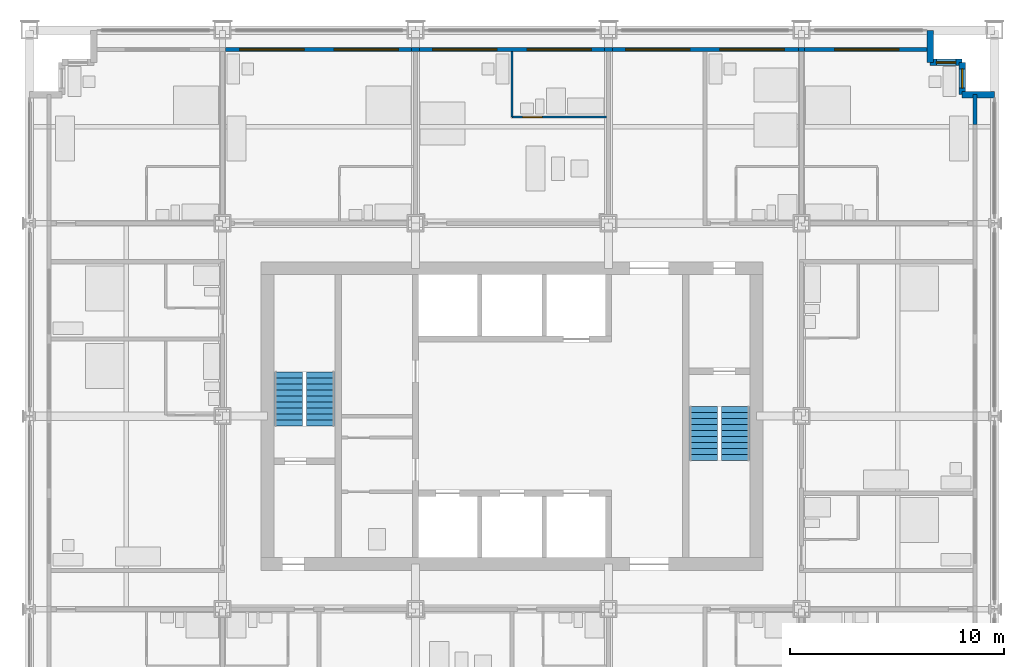
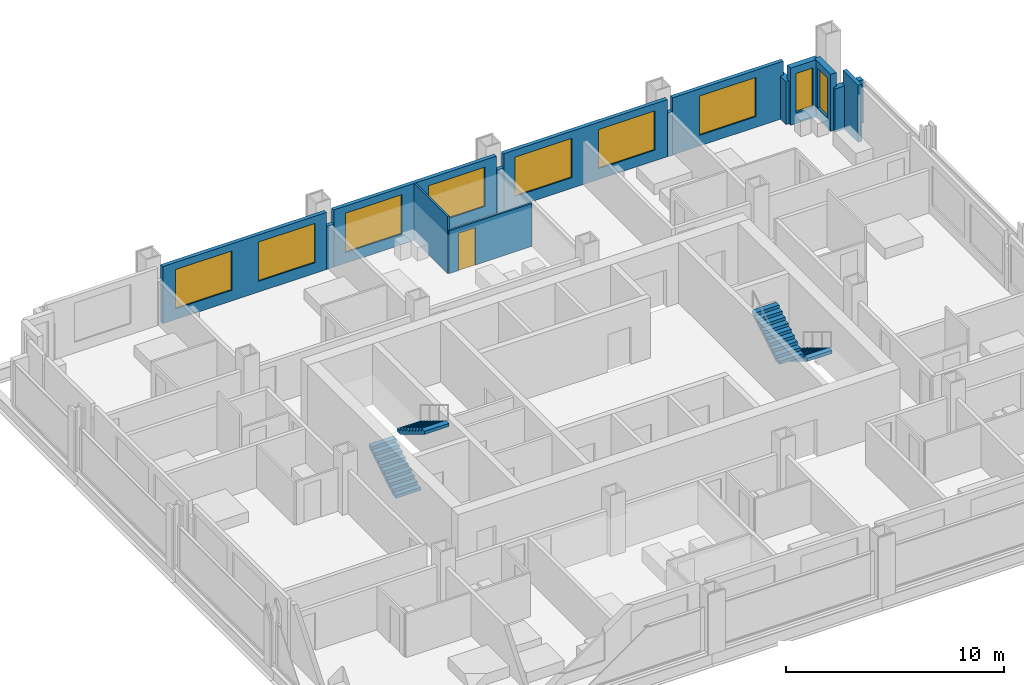
# One storey, part 13 of 16: 14 walls, 9 windows, 4 stair flights, 1 door, 10 openings, 2 elements without a shape of their own.
"""IFC4 building model written with IfcOpenShell, lengths in metres."""

from ifc_helpers import new_model, si_unit, direction, frame, frame_2d, origin, place, context, subcontext, project, spatial, polyline, rectangle, outline, extrude, material, layer, layer_set, type_object, element, fill, aggregate, save


model = new_model("IFC4")

# Units and contexts
model_context = context("Model", 3, precision=1e-05, world=origin(), true_north=direction((0.0, 1.0)))
body_context = subcontext(model_context, "Body", "Model", "MODEL_VIEW")
ifc_project = project(units=[si_unit("LENGTHUNIT", "METRE"), si_unit("AREAUNIT", "SQUARE_METRE"), si_unit("VOLUMEUNIT", "CUBIC_METRE"), si_unit("PLANEANGLEUNIT", "RADIAN"), si_unit("MASSUNIT", "GRAM", prefix="KILO")], contexts=[model_context])

# Site, building, storey
site_placement = place(None, origin())
site = spatial("IfcSite", under=ifc_project, at=site_placement, CompositionType="ELEMENT")
building_placement = place(site_placement, origin())
building = spatial("IfcBuilding", under=site, at=building_placement, Name="Loomwork Tower", CompositionType="ELEMENT")
storey_placement = place(building_placement, frame((0.0, 0.0, 118.0)))
storey = spatial("IfcBuildingStorey", under=building, at=storey_placement, Name="L31", CompositionType="ELEMENT", Elevation=118.0)

# Wall, opening, door
ifc_material_1 = material(Name="Cement board on steel studs", Category="steel")
ifc_layer_1 = layer(ifc_material_1, 0.10009765625)
ifc_layer_set_1 = layer_set([ifc_layer_1], Name="En-suite partition 100")
wall_type_1 = type_object("IfcWallType", Name="En-suite partition 100", PredefinedType="PARTITIONING", material=ifc_layer_set_1)
wall_1_placement = place(storey_placement, frame((22.5, 31.949951171875, 0.0), z_axis=(0.0, 0.0, 1.0), x_axis=(1.0, 0.0, 0.0)))
wall_1 = element("IfcWall", 1, at=wall_1_placement, inside=storey, type_object=wall_type_1, Name="Spa bathroom wall L31 room 9", PredefinedType="PARTITIONING", context=body_context, shape_type="SweptSolid", body=[
    extrude(rectangle(XDim=4.39990234375, YDim=0.10009765625, at=frame_2d((2.199951171875, 0.0))), origin(), (0.0, 0.0, 1.0), 2.404052734375),
])
opening_1_placement = place(wall_1_placement, frame((0.5, 0.0, 0.0)))
opening_1 = element("IfcOpeningElement", 2, at=opening_1_placement, cuts=wall_1, Name="Opening D2", PredefinedType="OPENING", context=body_context, shape_type="SweptSolid", body=[
    extrude(rectangle(XDim=0.89990234375, YDim=2.10009765625, at=frame_2d((0.449951171875, 1.050048828125))), frame((0.0, 0.06005859375, 0.0), z_axis=(0.0, -1.0, 0.0), x_axis=(1.0, 0.0, 0.0)), (0.0, 0.0, 1.0), 0.1201171875),
])
ifc_material_2 = material(Name="Hollow metal door and frame")
door_type = type_object("IfcDoorType", Name="En-suite door 900", OperationType="SINGLE_SWING_LEFT", PredefinedType="DOOR", material=ifc_material_2)
door_placement = place(opening_1_placement, origin())
door = element("IfcDoor", 3, at=door_placement, inside=storey, type_object=door_type, Name="Spa bathroom door room 9", OperationType="SINGLE_SWING_LEFT", OverallHeight=2.10009765625, OverallWidth=0.89990234375, PredefinedType="DOOR", context=body_context, shape_type="SweptSolid", body=[
    extrude(rectangle(XDim=0.89990234375, YDim=2.10009765625, at=frame_2d((0.449951171875, 1.050048828125))), frame((0.0, 0.02490234375, 0.0), z_axis=(0.0, -1.0, 0.0), x_axis=(1.0, 0.0, 0.0)), (0.0, 0.0, 1.0), 0.050048828125),
])
fill(opening_1, door)

# Wall
wall_2_placement = place(storey_placement, frame((22.5, 31.949951171875, 0.0), z_axis=(0.0, 0.0, 1.0), x_axis=(0.0, 1.0, 0.0)))
element("IfcWall", 4, at=wall_2_placement, inside=storey, type_object=wall_type_1, Name="Spa bathroom side wall L31 room 9", PredefinedType="PARTITIONING", context=body_context, shape_type="SweptSolid", body=[
    extrude(rectangle(XDim=3.050048828125, YDim=0.10009765625, at=frame_2d((1.52490234375, 0.0))), origin(), (0.0, 0.0, 1.0), 3.199951171875),
])

# Wall, openings, windows
ifc_material_3 = material(Name="Insulated steel stud wall with gypsum lining", Category="steel")
ifc_layer_2 = layer(ifc_material_3, 0.199951171875)
ifc_layer_set_2 = layer_set([ifc_layer_2], Name="Inner skin wall 200")
wall_type_2 = type_object("IfcWallType", Name="Inner skin wall 200", PredefinedType="SOLIDWALL", material=ifc_layer_set_2)
wall_3_placement = place(storey_placement, frame((9.13525390625, 35.10009765625, 0.0), z_axis=(0.0, 0.0, 1.0), x_axis=(1.0, 0.0, 0.0)))
wall_3 = element("IfcWall", 5, at=wall_3_placement, inside=storey, type_object=wall_type_2, Name="Inner skin wall N bay 3", PredefinedType="SOLIDWALL", context=body_context, shape_type="SweptSolid", body=[
    extrude(rectangle(XDim=8.6708984375, YDim=0.199951171875, at=frame_2d((4.33544921875, 0.0))), origin(), (0.0, 0.0, 1.0), 3.199951171875),
])
opening_2_placement = place(wall_3_placement, frame((0.664794921875, 0.0, 0.60009765625)))
opening_2 = element("IfcOpeningElement", 6, at=opening_2_placement, cuts=wall_3, Name="Opening CH1", PredefinedType="OPENING", context=body_context, shape_type="SweptSolid", body=[
    extrude(rectangle(XDim=3.0, YDim=2.199951171875, at=frame_2d((1.5, 1.10009765625))), frame((0.0, 0.10986328125, 0.0), z_axis=(0.0, -1.0, 0.0), x_axis=(1.0, 0.0, 0.0)), (0.0, 0.0, 1.0), 0.219970703125),
])
opening_3_placement = place(wall_3_placement, frame((5.064697265625, 0.0, 0.60009765625)))
opening_3 = element("IfcOpeningElement", 7, at=opening_3_placement, cuts=wall_3, Name="Opening CH1", PredefinedType="OPENING", context=body_context, shape_type="SweptSolid", body=[
    extrude(rectangle(XDim=3.0, YDim=2.199951171875, at=frame_2d((1.5, 1.10009765625))), frame((0.0, 0.10986328125, 0.0), z_axis=(0.0, -1.0, 0.0), x_axis=(1.0, 0.0, 0.0)), (0.0, 0.0, 1.0), 0.219970703125),
])
ifc_material_4 = material(Name="Aluminium frame with clear insulated glass", Category="aluminium")
window_type_1 = type_object("IfcWindowType", Name="Chicago window 3000", PartitioningType="TRIPLE_PANEL_VERTICAL", PredefinedType="WINDOW", material=ifc_material_4)
window_1_placement = place(opening_2_placement, origin())
window_1 = element("IfcWindow", 8, at=window_1_placement, inside=storey, type_object=window_type_1, Name="Chicago window L31 bay 7", OverallHeight=2.199951171875, OverallWidth=3.0, PartitioningType="TRIPLE_PANEL_VERTICAL", PredefinedType="WINDOW", context=body_context, shape_type="SweptSolid", body=[
    extrude(rectangle(XDim=3.0, YDim=2.199951171875, at=frame_2d((1.5, 1.10009765625))), frame((0.0, 0.030029296875, 0.0), z_axis=(0.0, -1.0, 0.0), x_axis=(1.0, 0.0, 0.0)), (0.0, 0.0, 1.0), 0.06005859375),
])
fill(opening_2, window_1)
window_2_placement = place(opening_3_placement, origin())
window_2 = element("IfcWindow", 9, at=window_2_placement, inside=storey, type_object=window_type_1, Name="Chicago window L31 bay 7", OverallHeight=2.199951171875, OverallWidth=3.0, PartitioningType="TRIPLE_PANEL_VERTICAL", PredefinedType="WINDOW", context=body_context, shape_type="SweptSolid", body=[
    extrude(rectangle(XDim=3.0, YDim=2.199951171875, at=frame_2d((1.5, 1.10009765625))), frame((0.0, 0.030029296875, 0.0), z_axis=(0.0, -1.0, 0.0), x_axis=(1.0, 0.0, 0.0)), (0.0, 0.0, 1.0), 0.06005859375),
])
fill(opening_3, window_2)

# Wall
wall_4_placement = place(storey_placement, frame((17.80615234375, 35.10009765625, 0.0), z_axis=(0.0, 0.0, 1.0), x_axis=(1.0, 0.0, 0.0)))
element("IfcWall", 10, at=wall_4_placement, inside=storey, type_object=wall_type_2, Name="Inner skin wall N bay 4", PredefinedType="SOLIDWALL", context=body_context, shape_type="SweptSolid", body=[
    extrude(rectangle(XDim=0.3876953125, YDim=0.199951171875, at=frame_2d((0.19384765625, 0.0))), origin(), (0.0, 0.0, 1.0), 2.404052734375),
])

# Wall, openings, windows
wall_5_placement = place(storey_placement, frame((18.19384765625, 35.10009765625, 0.0), z_axis=(0.0, 0.0, 1.0), x_axis=(1.0, 0.0, 0.0)))
wall_5 = element("IfcWall", 11, at=wall_5_placement, inside=storey, type_object=wall_type_2, Name="Inner skin wall N bay 5", PredefinedType="SOLIDWALL", context=body_context, shape_type="SweptSolid", body=[
    extrude(rectangle(XDim=8.6123046875, YDim=0.199951171875, at=frame_2d((4.30615234375, 0.0))), origin(), (0.0, 0.0, 1.0), 3.199951171875),
])
opening_4_placement = place(wall_5_placement, frame((0.606201171875, 0.0, 0.60009765625)))
opening_4 = element("IfcOpeningElement", 12, at=opening_4_placement, cuts=wall_5, Name="Opening CH1", PredefinedType="OPENING", context=body_context, shape_type="SweptSolid", body=[
    extrude(rectangle(XDim=3.0, YDim=2.199951171875, at=frame_2d((1.5, 1.10009765625))), frame((0.0, 0.10986328125, 0.0), z_axis=(0.0, -1.0, 0.0), x_axis=(1.0, 0.0, 0.0)), (0.0, 0.0, 1.0), 0.219970703125),
])
opening_5_placement = place(wall_5_placement, frame((5.006103515625, 0.0, 0.60009765625)))
opening_5 = element("IfcOpeningElement", 13, at=opening_5_placement, cuts=wall_5, Name="Opening CH1", PredefinedType="OPENING", context=body_context, shape_type="SweptSolid", body=[
    extrude(rectangle(XDim=3.0, YDim=2.199951171875, at=frame_2d((1.5, 1.10009765625))), frame((0.0, 0.10986328125, 0.0), z_axis=(0.0, -1.0, 0.0), x_axis=(1.0, 0.0, 0.0)), (0.0, 0.0, 1.0), 0.219970703125),
])
window_3_placement = place(opening_4_placement, origin())
window_3 = element("IfcWindow", 14, at=window_3_placement, inside=storey, type_object=window_type_1, Name="Chicago window L31 bay 8", OverallHeight=2.199951171875, OverallWidth=3.0, PartitioningType="TRIPLE_PANEL_VERTICAL", PredefinedType="WINDOW", context=body_context, shape_type="SweptSolid", body=[
    extrude(rectangle(XDim=3.0, YDim=2.199951171875, at=frame_2d((1.5, 1.10009765625))), frame((0.0, 0.030029296875, 0.0), z_axis=(0.0, -1.0, 0.0), x_axis=(1.0, 0.0, 0.0)), (0.0, 0.0, 1.0), 0.06005859375),
])
fill(opening_4, window_3)
window_4_placement = place(opening_5_placement, origin())
window_4 = element("IfcWindow", 15, at=window_4_placement, inside=storey, type_object=window_type_1, Name="Chicago window L31 bay 8", OverallHeight=2.199951171875, OverallWidth=3.0, PartitioningType="TRIPLE_PANEL_VERTICAL", PredefinedType="WINDOW", context=body_context, shape_type="SweptSolid", body=[
    extrude(rectangle(XDim=3.0, YDim=2.199951171875, at=frame_2d((1.5, 1.10009765625))), frame((0.0, 0.030029296875, 0.0), z_axis=(0.0, -1.0, 0.0), x_axis=(1.0, 0.0, 0.0)), (0.0, 0.0, 1.0), 0.06005859375),
])
fill(opening_5, window_4)

# Wall
wall_6_placement = place(storey_placement, frame((26.80615234375, 35.10009765625, 0.0), z_axis=(0.0, 0.0, 1.0), x_axis=(1.0, 0.0, 0.0)))
element("IfcWall", 16, at=wall_6_placement, inside=storey, type_object=wall_type_2, Name="Inner skin wall N bay 6", PredefinedType="SOLIDWALL", context=body_context, shape_type="SweptSolid", body=[
    extrude(rectangle(XDim=0.3876953125, YDim=0.199951171875, at=frame_2d((0.19384765625, 0.0))), origin(), (0.0, 0.0, 1.0), 2.404052734375),
])

# Wall, openings, windows
wall_7_placement = place(storey_placement, frame((27.19384765625, 35.10009765625, 0.0), z_axis=(0.0, 0.0, 1.0), x_axis=(1.0, 0.0, 0.0)))
wall_7 = element("IfcWall", 17, at=wall_7_placement, inside=storey, type_object=wall_type_2, Name="Inner skin wall N bay 7", PredefinedType="SOLIDWALL", context=body_context, shape_type="SweptSolid", body=[
    extrude(rectangle(XDim=8.670654296875, YDim=0.199951171875, at=frame_2d((4.33544921875, 0.0))), origin(), (0.0, 0.0, 1.0), 3.199951171875),
])
opening_6_placement = place(wall_7_placement, frame((0.606201171875, 0.0, 0.60009765625)))
opening_6 = element("IfcOpeningElement", 18, at=opening_6_placement, cuts=wall_7, Name="Opening CH1", PredefinedType="OPENING", context=body_context, shape_type="SweptSolid", body=[
    extrude(rectangle(XDim=3.0, YDim=2.199951171875, at=frame_2d((1.5, 1.10009765625))), frame((0.0, 0.10986328125, 0.0), z_axis=(0.0, -1.0, 0.0), x_axis=(1.0, 0.0, 0.0)), (0.0, 0.0, 1.0), 0.219970703125),
])
opening_7_placement = place(wall_7_placement, frame((5.006103515625, 0.0, 0.60009765625)))
opening_7 = element("IfcOpeningElement", 19, at=opening_7_placement, cuts=wall_7, Name="Opening CH1", PredefinedType="OPENING", context=body_context, shape_type="SweptSolid", body=[
    extrude(rectangle(XDim=3.0, YDim=2.199951171875, at=frame_2d((1.5, 1.10009765625))), frame((0.0, 0.10986328125, 0.0), z_axis=(0.0, -1.0, 0.0), x_axis=(1.0, 0.0, 0.0)), (0.0, 0.0, 1.0), 0.219970703125),
])
window_5_placement = place(opening_6_placement, origin())
window_5 = element("IfcWindow", 20, at=window_5_placement, inside=storey, type_object=window_type_1, Name="Chicago window L31 bay 9", OverallHeight=2.199951171875, OverallWidth=3.0, PartitioningType="TRIPLE_PANEL_VERTICAL", PredefinedType="WINDOW", context=body_context, shape_type="SweptSolid", body=[
    extrude(rectangle(XDim=3.0, YDim=2.199951171875, at=frame_2d((1.5, 1.10009765625))), frame((0.0, 0.030029296875, 0.0), z_axis=(0.0, -1.0, 0.0), x_axis=(1.0, 0.0, 0.0)), (0.0, 0.0, 1.0), 0.06005859375),
])
fill(opening_6, window_5)
window_6_placement = place(opening_7_placement, origin())
window_6 = element("IfcWindow", 21, at=window_6_placement, inside=storey, type_object=window_type_1, Name="Chicago window L31 bay 9", OverallHeight=2.199951171875, OverallWidth=3.0, PartitioningType="TRIPLE_PANEL_VERTICAL", PredefinedType="WINDOW", context=body_context, shape_type="SweptSolid", body=[
    extrude(rectangle(XDim=3.0, YDim=2.199951171875, at=frame_2d((1.5, 1.10009765625))), frame((0.0, 0.030029296875, 0.0), z_axis=(0.0, -1.0, 0.0), x_axis=(1.0, 0.0, 0.0)), (0.0, 0.0, 1.0), 0.06005859375),
])
fill(opening_7, window_6)

# Wall
wall_8_placement = place(storey_placement, frame((35.864501953125, 35.10009765625, 0.0), z_axis=(0.0, 0.0, 1.0), x_axis=(1.0, 0.0, 0.0)))
element("IfcWall", 22, at=wall_8_placement, inside=storey, type_object=wall_type_2, Name="Inner skin wall N bay 8", PredefinedType="SOLIDWALL", context=body_context, shape_type="SweptSolid", body=[
    extrude(rectangle(XDim=0.27099609375, YDim=0.199951171875, at=frame_2d((0.135498046875, 0.0))), origin(), (0.0, 0.0, 1.0), 2.43798828125),
])

# Wall, opening, window
wall_9_placement = place(storey_placement, frame((36.135498046875, 35.10009765625, 0.0), z_axis=(0.0, 0.0, 1.0), x_axis=(1.0, 0.0, 0.0)))
wall_9 = element("IfcWall", 23, at=wall_9_placement, inside=storey, type_object=wall_type_2, Name="Inner skin wall N bay 9", PredefinedType="SOLIDWALL", context=body_context, shape_type="SweptSolid", body=[
    extrude(rectangle(XDim=5.864501953125, YDim=0.199951171875, at=frame_2d((2.93212890625, 0.0))), origin(), (0.0, 0.0, 1.0), 3.199951171875),
])
opening_8_placement = place(wall_9_placement, frame((1.41455078125, 0.0, 0.60009765625)))
opening_8 = element("IfcOpeningElement", 24, at=opening_8_placement, cuts=wall_9, Name="Opening CH1", PredefinedType="OPENING", context=body_context, shape_type="SweptSolid", body=[
    extrude(rectangle(XDim=3.0, YDim=2.199951171875, at=frame_2d((1.5, 1.10009765625))), frame((0.0, 0.10986328125, 0.0), z_axis=(0.0, -1.0, 0.0), x_axis=(1.0, 0.0, 0.0)), (0.0, 0.0, 1.0), 0.219970703125),
])
window_7_placement = place(opening_8_placement, origin())
window_7 = element("IfcWindow", 25, at=window_7_placement, inside=storey, type_object=window_type_1, Name="Chicago window L31 bay 10", OverallHeight=2.199951171875, OverallWidth=3.0, PartitioningType="TRIPLE_PANEL_VERTICAL", PredefinedType="WINDOW", context=body_context, shape_type="SweptSolid", body=[
    extrude(rectangle(XDim=3.0, YDim=2.199951171875, at=frame_2d((1.5, 1.10009765625))), frame((0.0, 0.030029296875, 0.0), z_axis=(0.0, -1.0, 0.0), x_axis=(1.0, 0.0, 0.0)), (0.0, 0.0, 1.0), 0.06005859375),
])
fill(opening_8, window_7)

# Walls
wall_10_placement = place(storey_placement, frame((44.10009765625, 31.607421875, 0.0), z_axis=(0.0, 0.0, 1.0), x_axis=(0.0, 1.0, 0.0)))
element("IfcWall", 26, at=wall_10_placement, inside=storey, type_object=wall_type_2, Name="Inner skin wall E bay 11", PredefinedType="SOLIDWALL", context=body_context, shape_type="SweptSolid", body=[
    extrude(rectangle(XDim=1.392578125, YDim=0.199951171875, at=frame_2d((0.6962890625, 0.0))), origin(), (0.0, 0.0, 1.0), 3.199951171875),
])
ifc_material_5 = material(Name="Limestone on concrete masonry", Category="masonry")
ifc_layer_3 = layer(ifc_material_5, 0.300048828125)
ifc_layer_set_3 = layer_set([ifc_layer_3], Name="Limestone corner wall 300")
wall_type_3 = type_object("IfcWallType", Name="Limestone corner wall 300", PredefinedType="SOLIDWALL", material=ifc_layer_set_3)
wall_11_placement = place(storey_placement, frame((45.0, 33.0, 0.0), z_axis=(0.0, 0.0, 1.0), x_axis=(-1.0, 0.0, 0.0)))
element("IfcWall", 27, at=wall_11_placement, inside=storey, type_object=wall_type_3, Name="Stone corner wall NE 1", PredefinedType="SOLIDWALL", context=body_context, shape_type="SweptSolid", body=[
    extrude(rectangle(XDim=1.5, YDim=0.300048828125, at=frame_2d((0.75, 0.0))), origin(), (0.0, 0.0, 1.0), 2.419921875),
])

# Wall, opening, window
wall_12_placement = place(storey_placement, frame((43.5, 33.0, 0.0), z_axis=(0.0, 0.0, 1.0), x_axis=(0.0, 1.0, 0.0)))
wall_12 = element("IfcWall", 28, at=wall_12_placement, inside=storey, type_object=wall_type_3, Name="Stone corner wall NE 2", PredefinedType="SOLIDWALL", context=body_context, shape_type="SweptSolid", body=[
    extrude(rectangle(XDim=1.5, YDim=0.300048828125, at=frame_2d((0.75, 0.0))), origin(), (0.0, 0.0, 1.0), 3.199951171875),
])
opening_9_placement = place(wall_12_placement, frame((0.300048828125, 0.0, 0.60009765625)))
opening_9 = element("IfcOpeningElement", 29, at=opening_9_placement, cuts=wall_12, Name="Opening CH2", PredefinedType="OPENING", context=body_context, shape_type="SweptSolid", body=[
    extrude(rectangle(XDim=0.89990234375, YDim=2.199951171875, at=frame_2d((0.449951171875, 1.10009765625))), frame((0.0, 0.159912109375, 0.0), z_axis=(0.0, -1.0, 0.0), x_axis=(1.0, 0.0, 0.0)), (0.0, 0.0, 1.0), 0.320068359375),
])
ifc_material_6 = material(Name="Aluminium frame with clear insulated glass", Category="aluminium")
window_type_2 = type_object("IfcWindowType", Name="Corner window 900", PartitioningType="SINGLE_PANEL", PredefinedType="WINDOW", material=ifc_material_6)
window_8_placement = place(opening_9_placement, origin())
window_8 = element("IfcWindow", 30, at=window_8_placement, inside=storey, type_object=window_type_2, Name="Corner window NE", OverallHeight=2.199951171875, OverallWidth=0.89990234375, PartitioningType="SINGLE_PANEL", PredefinedType="WINDOW", context=body_context, shape_type="SweptSolid", body=[
    extrude(rectangle(XDim=0.89990234375, YDim=2.199951171875, at=frame_2d((0.449951171875, 1.10009765625))), frame((0.0, 0.030029296875, 0.0), z_axis=(0.0, -1.0, 0.0), x_axis=(1.0, 0.0, 0.0)), (0.0, 0.0, 1.0), 0.06005859375),
])
fill(opening_9, window_8)

wall_13_placement = place(storey_placement, frame((43.5, 34.5, 0.0), z_axis=(0.0, 0.0, 1.0), x_axis=(-1.0, 0.0, 0.0)))
wall_13 = element("IfcWall", 31, at=wall_13_placement, inside=storey, type_object=wall_type_3, Name="Stone corner wall NE 3", PredefinedType="SOLIDWALL", context=body_context, shape_type="SweptSolid", body=[
    extrude(rectangle(XDim=1.5, YDim=0.300048828125, at=frame_2d((0.75, 0.0))), origin(), (0.0, 0.0, 1.0), 3.199951171875),
])
opening_10_placement = place(wall_13_placement, frame((0.300048828125, 0.0, 0.60009765625)))
opening_10 = element("IfcOpeningElement", 32, at=opening_10_placement, cuts=wall_13, Name="Opening CH2", PredefinedType="OPENING", context=body_context, shape_type="SweptSolid", body=[
    extrude(rectangle(XDim=0.89990234375, YDim=2.199951171875, at=frame_2d((0.449951171875, 1.10009765625))), frame((0.0, 0.159912109375, 0.0), z_axis=(0.0, -1.0, 0.0), x_axis=(1.0, 0.0, 0.0)), (0.0, 0.0, 1.0), 0.320068359375),
])
window_9_placement = place(opening_10_placement, origin())
window_9 = element("IfcWindow", 33, at=window_9_placement, inside=storey, type_object=window_type_2, Name="Corner window NE", OverallHeight=2.199951171875, OverallWidth=0.89990234375, PartitioningType="SINGLE_PANEL", PredefinedType="WINDOW", context=body_context, shape_type="SweptSolid", body=[
    extrude(rectangle(XDim=0.89990234375, YDim=2.199951171875, at=frame_2d((0.449951171875, 1.10009765625))), frame((0.0, 0.030029296875, 0.0), z_axis=(0.0, -1.0, 0.0), x_axis=(1.0, 0.0, 0.0)), (0.0, 0.0, 1.0), 0.06005859375),
])
fill(opening_10, window_9)

# Wall
wall_14_placement = place(storey_placement, frame((42.0, 34.5, 0.0), z_axis=(0.0, 0.0, 1.0), x_axis=(0.0, 1.0, 0.0)))
element("IfcWall", 34, at=wall_14_placement, inside=storey, type_object=wall_type_3, Name="Stone corner wall NE 4", PredefinedType="SOLIDWALL", context=body_context, shape_type="SweptSolid", body=[
    extrude(rectangle(XDim=1.5, YDim=0.300048828125, at=frame_2d((0.75, 0.0))), origin(), (0.0, 0.0, 1.0), 2.419921875),
])

# Stair, stair flights
ifc_material_7 = material(Name="Concrete 5000 psi (34 MPa) precast stair", Category="concrete")
stair_type_1 = type_object("IfcStairType", Name="Stair ST-A 20 risers 2850 wide", PredefinedType="HALF_TURN_STAIR", material=ifc_material_7)
stair_1_placement = place(storey_placement, origin())
stair_1 = element("IfcStair", 35, at=stair_1_placement, inside=storey, type_object=stair_type_1, Name="Stair A L31", PredefinedType="HALF_TURN_STAIR")
ifc_material_8 = material(Name="Concrete 5000 psi (34 MPa) precast stair", Category="concrete")
stair_flight_type_1 = type_object("IfcStairFlightType", Name="Stair flight ST-A 10 risers 1300 wide", PredefinedType="STRAIGHT", material=ifc_material_8)
stair_flight_1_placement = place(storey_placement, frame((12.074951171875, 17.550048828125, 0.0), z_axis=(0.0, 0.0, 1.0), x_axis=(0.0, 1.0, 0.0)))
stair_flight_1 = element("IfcStairFlight", 36, at=stair_flight_1_placement, type_object=stair_flight_type_1, Name="ST-A flight 1", NumberOfRisers=10, NumberOfTreads=9, PredefinedType="STRAIGHT", RiserHeight=0.17, TreadLength=0.28, context=body_context, shape_type="SweptSolid", body=[
    extrude(outline(polyline([(0.0, 0.0), (0.0, 0.169921875), (0.280029296875, 0.169921875), (0.280029296875, 0.340087890625), (0.56005859375, 0.340087890625), (0.56005859375, 0.510009765625), (0.840087890625, 0.510009765625), (0.840087890625, 0.679931640625), (1.1201171875, 0.679931640625), (1.1201171875, 0.85009765625), (1.39990234375, 0.85009765625), (1.39990234375, 1.02001953125), (1.679931640625, 1.02001953125), (1.679931640625, 1.18994140625), (1.9599609375, 1.18994140625), (1.9599609375, 1.360107421875), (2.239990234375, 1.360107421875), (2.239990234375, 1.530029296875), (2.52001953125, 1.530029296875), (2.52001953125, 1.699951171875), (2.52001953125, 1.354736328125), (0.288818359375, 0.0), (0.0, 0.0)])), frame((0.0, 0.64990234375, 0.0), z_axis=(0.0, -1.0, 0.0), x_axis=(1.0, 0.0, 0.0)), (0.0, 0.0, 1.0), 1.300048828125),
])
stair_flight_2_placement = place(storey_placement, frame((13.574951171875, 20.070068359375, 1.699951171875), z_axis=(0.0, 0.0, 1.0), x_axis=(0.0, -1.0, 0.0)))
stair_flight_2 = element("IfcStairFlight", 37, at=stair_flight_2_placement, type_object=stair_flight_type_1, Name="ST-A flight 2", NumberOfRisers=10, NumberOfTreads=9, PredefinedType="STRAIGHT", RiserHeight=0.17, TreadLength=0.28, context=body_context, shape_type="SweptSolid", body=[
    extrude(outline(polyline([(0.0, 0.0), (0.0, 0.169921875), (0.280029296875, 0.169921875), (0.280029296875, 0.340087890625), (0.56005859375, 0.340087890625), (0.56005859375, 0.510009765625), (0.840087890625, 0.510009765625), (0.840087890625, 0.679931640625), (1.1201171875, 0.679931640625), (1.1201171875, 0.85009765625), (1.39990234375, 0.85009765625), (1.39990234375, 1.02001953125), (1.679931640625, 1.02001953125), (1.679931640625, 1.18994140625), (1.9599609375, 1.18994140625), (1.9599609375, 1.360107421875), (2.239990234375, 1.360107421875), (2.239990234375, 1.530029296875), (2.52001953125, 1.530029296875), (2.52001953125, 1.699951171875), (2.52001953125, 1.354736328125), (0.288818359375, 0.0), (0.0, 0.0)])), frame((0.0, 0.64990234375, 0.0), z_axis=(0.0, -1.0, 0.0), x_axis=(1.0, 0.0, 0.0)), (0.0, 0.0, 1.0), 1.300048828125),
])
aggregate(stair_1, [stair_flight_1, stair_flight_2])

ifc_material_9 = material(Name="Concrete 5000 psi (34 MPa) precast stair", Category="concrete")
stair_type_2 = type_object("IfcStairType", Name="Stair ST-B 20 risers 2850 wide", PredefinedType="HALF_TURN_STAIR", material=ifc_material_9)
stair_2_placement = place(storey_placement, origin())
stair_2 = element("IfcStair", 38, at=stair_2_placement, inside=storey, type_object=stair_type_2, Name="Stair B L31", PredefinedType="HALF_TURN_STAIR")
ifc_material_10 = material(Name="Concrete 5000 psi (34 MPa) precast stair", Category="concrete")
stair_flight_type_2 = type_object("IfcStairFlightType", Name="Stair flight ST-B 10 risers 1300 wide", PredefinedType="STRAIGHT", material=ifc_material_10)
stair_flight_3_placement = place(storey_placement, frame((32.925048828125, 18.449951171875, 0.0), z_axis=(0.0, 0.0, 1.0), x_axis=(0.0, -1.0, 0.0)))
stair_flight_3 = element("IfcStairFlight", 39, at=stair_flight_3_placement, type_object=stair_flight_type_2, Name="ST-B flight 1", NumberOfRisers=10, NumberOfTreads=9, PredefinedType="STRAIGHT", RiserHeight=0.17, TreadLength=0.28, context=body_context, shape_type="SweptSolid", body=[
    extrude(outline(polyline([(0.0, 0.0), (0.0, 0.169921875), (0.280029296875, 0.169921875), (0.280029296875, 0.340087890625), (0.56005859375, 0.340087890625), (0.56005859375, 0.510009765625), (0.840087890625, 0.510009765625), (0.840087890625, 0.679931640625), (1.1201171875, 0.679931640625), (1.1201171875, 0.85009765625), (1.39990234375, 0.85009765625), (1.39990234375, 1.02001953125), (1.679931640625, 1.02001953125), (1.679931640625, 1.18994140625), (1.9599609375, 1.18994140625), (1.9599609375, 1.360107421875), (2.239990234375, 1.360107421875), (2.239990234375, 1.530029296875), (2.52001953125, 1.530029296875), (2.52001953125, 1.699951171875), (2.52001953125, 1.354736328125), (0.288818359375, 0.0), (0.0, 0.0)])), frame((0.0, 0.64990234375, 0.0), z_axis=(0.0, -1.0, 0.0), x_axis=(1.0, 0.0, 0.0)), (0.0, 0.0, 1.0), 1.300048828125),
])
stair_flight_4_placement = place(storey_placement, frame((31.425048828125, 15.929931640625, 1.699951171875), z_axis=(0.0, 0.0, 1.0), x_axis=(0.0, 1.0, 0.0)))
stair_flight_4 = element("IfcStairFlight", 40, at=stair_flight_4_placement, type_object=stair_flight_type_2, Name="ST-B flight 2", NumberOfRisers=10, NumberOfTreads=9, PredefinedType="STRAIGHT", RiserHeight=0.17, TreadLength=0.28, context=body_context, shape_type="SweptSolid", body=[
    extrude(outline(polyline([(0.0, 0.0), (0.0, 0.169921875), (0.280029296875, 0.169921875), (0.280029296875, 0.340087890625), (0.56005859375, 0.340087890625), (0.56005859375, 0.510009765625), (0.840087890625, 0.510009765625), (0.840087890625, 0.679931640625), (1.1201171875, 0.679931640625), (1.1201171875, 0.85009765625), (1.39990234375, 0.85009765625), (1.39990234375, 1.02001953125), (1.679931640625, 1.02001953125), (1.679931640625, 1.18994140625), (1.9599609375, 1.18994140625), (1.9599609375, 1.360107421875), (2.239990234375, 1.360107421875), (2.239990234375, 1.530029296875), (2.52001953125, 1.530029296875), (2.52001953125, 1.699951171875), (2.52001953125, 1.354736328125), (0.288818359375, 0.0), (0.0, 0.0)])), frame((0.0, 0.64990234375, 0.0), z_axis=(0.0, -1.0, 0.0), x_axis=(1.0, 0.0, 0.0)), (0.0, 0.0, 1.0), 1.300048828125),
])
aggregate(stair_2, [stair_flight_3, stair_flight_4])

save(model, "model.ifc")
